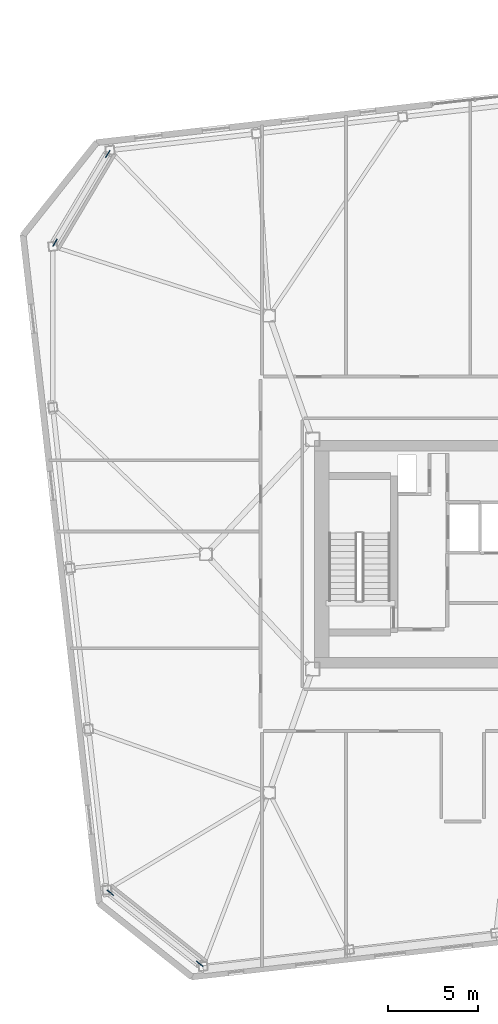
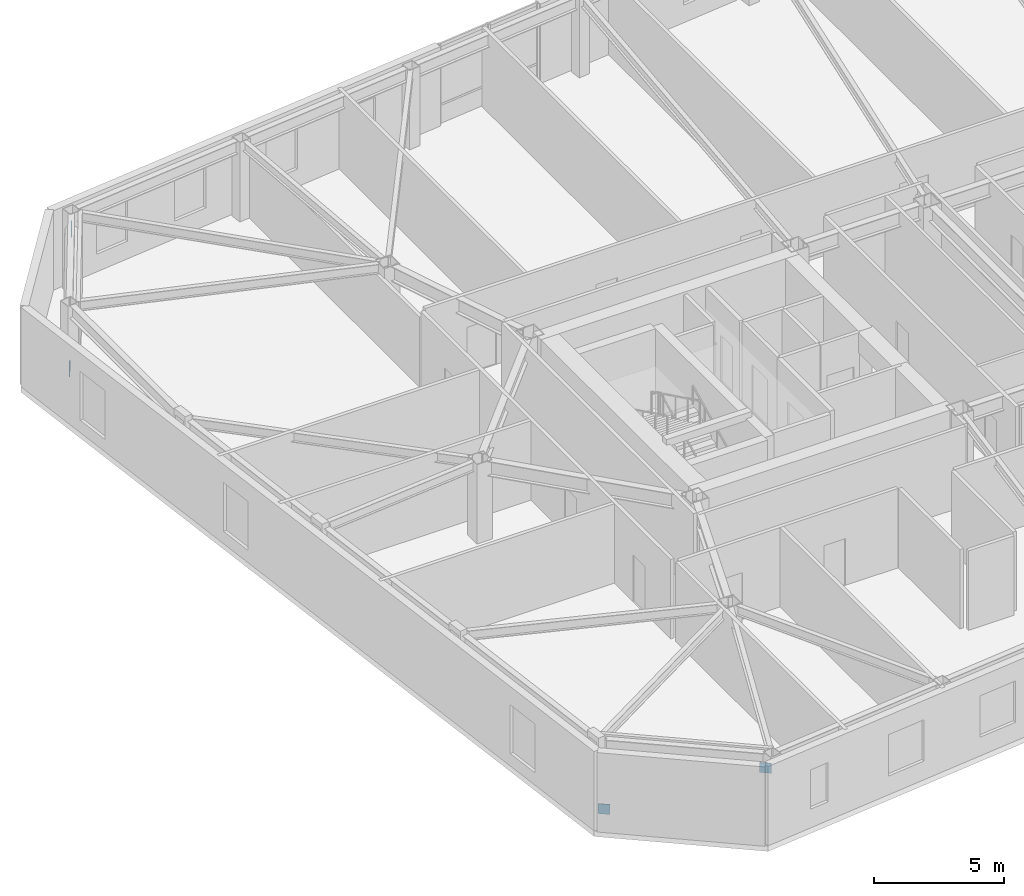
# One storey, part 17 of 19: 4 discrete accessories.
"""IFC4 building model written with IfcOpenShell, lengths in metres."""

from ifc_helpers import new_model, si_unit, direction, frame, origin, origin_2d, place, context, subcontext, project, spatial, rectangle, extrude, material, type_object, element, save


model = new_model("IFC4")

# Units and contexts
model_context = context("Model", 3, precision=1e-05, world=origin(), true_north=direction((0.0, 1.0)))
body_context = subcontext(model_context, "Body", "Model", "MODEL_VIEW")
ifc_project = project(units=[si_unit("LENGTHUNIT", "METRE"), si_unit("AREAUNIT", "SQUARE_METRE"), si_unit("VOLUMEUNIT", "CUBIC_METRE"), si_unit("PLANEANGLEUNIT", "RADIAN"), si_unit("MASSUNIT", "GRAM", prefix="KILO")], contexts=[model_context])

# Site, building, storey
site_placement = place(None, origin())
site = spatial("IfcSite", under=ifc_project, at=site_placement, CompositionType="ELEMENT")
building_placement = place(site_placement, origin())
building = spatial("IfcBuilding", under=site, at=building_placement, Name="Tavrogorsk Clinical Tower", CompositionType="ELEMENT")
storey_placement = place(building_placement, frame((0.0, 0.0, 259.0)))
storey = spatial("IfcBuildingStorey", under=building, at=storey_placement, Name="L60", CompositionType="ELEMENT", Elevation=259.0)

# Discrete accessories
ifc_material = material(Name="Structural steel S440", Category="steel")
discrete_accessory_type = type_object("IfcDiscreteAccessoryType", Name="GussetPlateBracket_25", PredefinedType="BRACKET", material=ifc_material)
for number, where, z_axis, x_axis, name in (
    (1, (-36.349853515625, 17.23486328125, 0.17626953125), (0.0, 0.0, 1.0), (0.511443073004, 0.859317160934, 0.0), "L60 Brace Gusset Plate EXOCRN-L60-3-A"),
    (2, (-33.428955078125, 22.143310546875, 2.75390625), (0.0, 0.0, 1.0), (0.511443073004, 0.859317160934, 0.0), "L60 Brace Gusset Plate EXOCRN-L60-3-B"),
    (3, (-33.29052734375, -18.725341796875, 0.168212890625), (0.0, 0.0, 1.0), (0.782608156852, -0.622514636638, 0.0), "L60 Brace Gusset Plate EXOCRN-L60-4-A"),
    (4, (-28.3515625, -22.654052734375, 2.761962890625), (0.0, 0.0, 1.0), (0.782608156852, -0.622514636638, 0.0), "L60 Brace Gusset Plate EXOCRN-L60-4-B"),
):
    element("IfcDiscreteAccessory", number, at=place(storey_placement, frame(where, z_axis=z_axis, x_axis=x_axis)), inside=storey, type_object=discrete_accessory_type, Name=name, PredefinedType="BRACKET", context=body_context, shape_type="SweptSolid", body=[
        extrude(rectangle(XDim=0.4599609375, YDim=0.0400390625, at=origin_2d()), origin(), (0.0, 0.0, 1.0), 0.4599609375),
    ])

save(model, "model.ifc")
